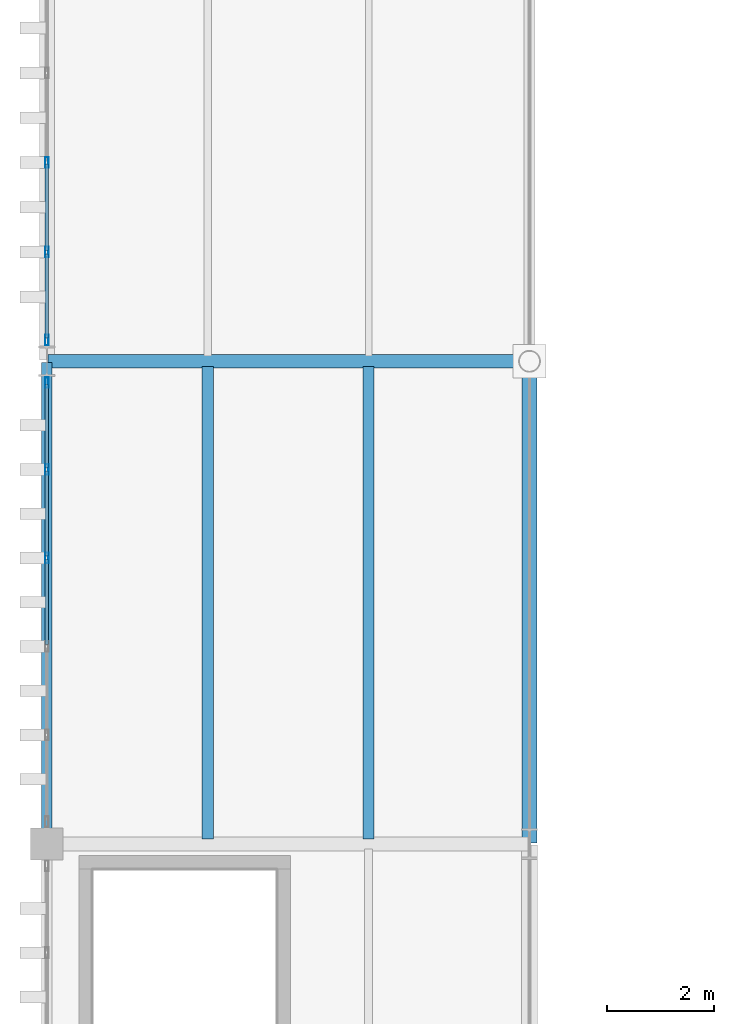
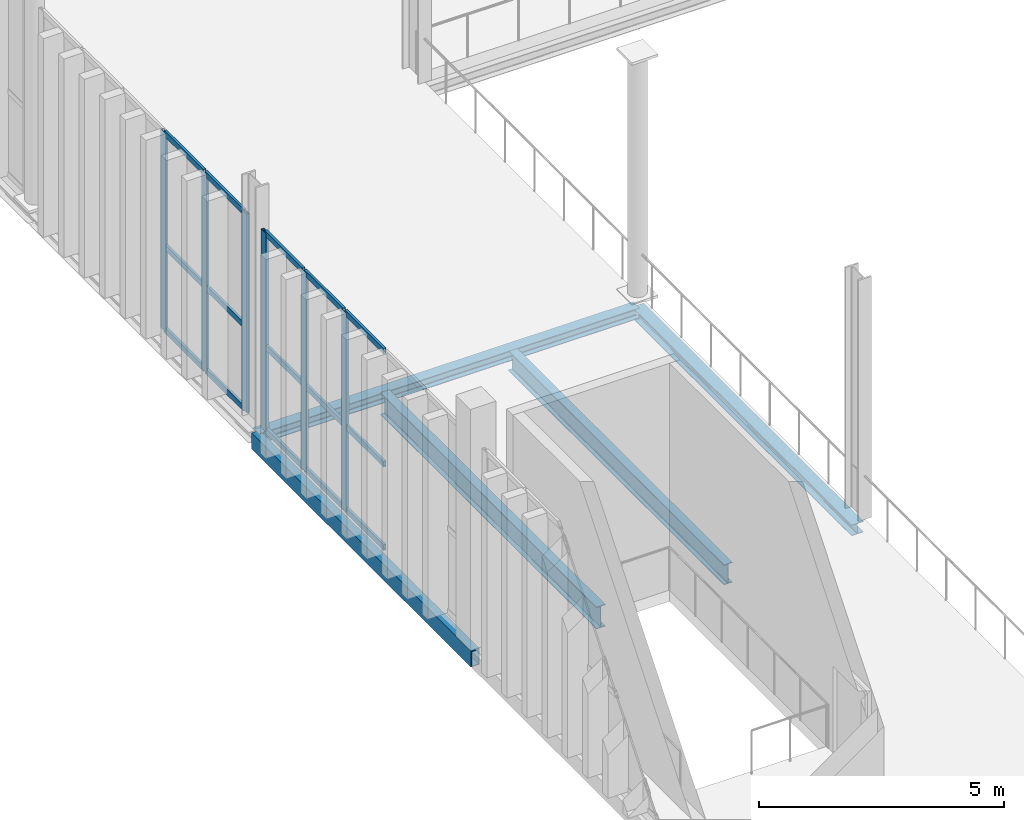
# One storey, part 77 of 211: 21 members, 5 beams, 2 elements without a shape of their own.
"""IFC4 building model written with IfcOpenShell, lengths in metres."""

import ifcopenshell
import ifcopenshell.guid

model = None  # the IFC model being written
_history = None  # IfcOwnerHistory: only IFC2X3 demands one
_inside = {}  # id of a spatial element -> (the spatial element, [elements in it])
_under = {}  # id of a project, library or spatial element -> (it, [spatial elements below it])
_declared = {}  # id of a project -> (the project, [libraries it declares])
_typed = {}  # id of a type object -> (the type object, [elements of that type])
_made_of = {}  # id of a material, layer set ... -> (it, [elements and type objects made of it])


def new_model(schema):
    """Start an empty IFC model of exactly this schema.

    Asked for "IFC4X3", IfcOpenShell would pick the latest addendum, in which some entities
    have other attributes; the version numbers below select the first issue.
    IFC2X3 requires an IfcOwnerHistory on every rooted entity: one is made here for all.
    """
    global model, _history
    if schema == "IFC4X3":
        model = ifcopenshell.file(schema_version=(4, 3, 0, 0))
    else:
        model = ifcopenshell.file(schema=schema)
    _inside.clear()
    _under.clear()
    _declared.clear()
    _typed.clear()
    _made_of.clear()
    _history = None
    if model.schema == "IFC2X3":
        org = make("IfcOrganization", Name="unknown")
        user = make(
            "IfcPersonAndOrganization",
            ThePerson=make("IfcPerson", FamilyName="unknown"),
            TheOrganization=org,
        )
        app = make(
            "IfcApplication",
            ApplicationDeveloper=org,
            Version="unknown",
            ApplicationFullName="unknown",
            ApplicationIdentifier="unknown",
        )
        _history = make(
            "IfcOwnerHistory",
            OwningUser=user,
            OwningApplication=app,
            ChangeAction="ADDED",
            CreationDate=0,
        )
    return model


def make(cls, **values):
    """One entity of the class cls with the attributes given. An attribute that is None is left unset."""
    return model.create_entity(
        cls, **{name: value for name, value in values.items() if value is not None}
    )


def rooted(cls, **values):
    """An entity with a GlobalId (a new one), such as an element, a storey or a relation."""
    return make(cls, GlobalId=ifcopenshell.guid.new(), OwnerHistory=_history, **values)


def si_unit(unit_type, name, prefix=None):
    """IfcSIUnit, for example si_unit("LENGTHUNIT", "METRE", prefix="MILLI")."""
    return make("IfcSIUnit", UnitType=unit_type, Prefix=prefix, Name=name)


def assignment(units):
    """IfcUnitAssignment: the units of a project."""
    return None if units is None else make("IfcUnitAssignment", Units=units)


def point(xyz):
    """IfcCartesianPoint."""
    return None if xyz is None else make("IfcCartesianPoint", Coordinates=xyz)


def direction(xyz):
    """IfcDirection."""
    return None if xyz is None else make("IfcDirection", DirectionRatios=xyz)


def frame(location, z_axis=None, x_axis=None):
    """IfcAxis2Placement3D, a coordinate frame: its origin and axes. An axis left out is left unset."""
    return make(
        "IfcAxis2Placement3D",
        Location=point(location),
        Axis=direction(z_axis),
        RefDirection=direction(x_axis),
    )


def frame_2d(location, x_axis=None):
    """IfcAxis2Placement2D, a coordinate frame in the plane: its origin and x axis."""
    return make(
        "IfcAxis2Placement2D", Location=point(location), RefDirection=direction(x_axis)
    )


def origin():
    """The frame at (0, 0, 0) with its axes left unset."""
    return frame((0.0, 0.0, 0.0))


def origin_2d():
    """The frame at (0, 0) in the plane with its x axis left unset."""
    return frame_2d((0.0, 0.0))


def place(relative_to, where):
    """IfcLocalPlacement: puts the frame where relative to a parent placement (None: the world)."""
    return make(
        "IfcLocalPlacement", PlacementRelTo=relative_to, RelativePlacement=where
    )


def context(
    kind, dimensions, precision=None, world=None, true_north=None, identifier=None
):
    """IfcGeometricRepresentationContext, for example the 3D "Model" context."""
    return make(
        "IfcGeometricRepresentationContext",
        ContextIdentifier=identifier,
        ContextType=kind,
        CoordinateSpaceDimension=dimensions,
        Precision=precision,
        WorldCoordinateSystem=world,
        TrueNorth=true_north,
    )


def subcontext(parent, identifier, kind, view, scale=None):
    """IfcGeometricRepresentationSubContext, for example "Body" below "Model"."""
    return make(
        "IfcGeometricRepresentationSubContext",
        ContextIdentifier=identifier,
        ContextType=kind,
        ParentContext=parent,
        TargetScale=scale,
        TargetView=view,
    )


def project(units=None, contexts=None):
    """IfcProject with its units and contexts."""
    return rooted(
        "IfcProject",
        Name="project",
        RepresentationContexts=contexts,
        UnitsInContext=assignment(units),
    )


def spatial(cls, under=None, at=None, **own):
    """A site, building, storey or space (cls), placed at a placement, below another one or the project."""
    s = rooted(cls, ObjectPlacement=at, **own)
    if under is not None:
        _under.setdefault(under.id(), (under, []))[1].append(s)
    return s


def profile(cls, at=None, kind="AREA", **sizes):
    """A parametric profile (cls). Its sizes go by their IFC names, for example OverallWidth=200.0."""
    return make(cls, ProfileType=kind, Position=at, **sizes)


def hollow_rectangle(**sizes):
    """IfcRectangleHollowProfileDef."""
    return profile("IfcRectangleHollowProfileDef", **sizes)


def i_section(**sizes):
    """IfcIShapeProfileDef."""
    return profile("IfcIShapeProfileDef", **sizes)


def extrude(swept, where, along, depth):
    """IfcExtrudedAreaSolid: the profile swept, set in the frame where, extruded along a direction by depth."""
    return make(
        "IfcExtrudedAreaSolid",
        SweptArea=swept,
        Position=where,
        ExtrudedDirection=direction(along),
        Depth=depth,
    )


def shape(context_of_items, identifier, shape_type, items):
    """IfcShapeRepresentation: the items that make up one representation, for example the "Body"."""
    return make(
        "IfcShapeRepresentation",
        ContextOfItems=context_of_items,
        RepresentationIdentifier=identifier,
        RepresentationType=shape_type,
        Items=items,
    )


def material(Name=None, Category=None):
    """IfcMaterial."""
    return make("IfcMaterial", Name=Name, Category=Category)


def layer(
    of_material, thickness, ventilated=None, Name=None, Category=None, Priority=None
):
    """IfcMaterialLayer: one layer of a wall or slab, of a material (None: an air gap)."""
    return make(
        "IfcMaterialLayer",
        Material=of_material,
        LayerThickness=thickness,
        IsVentilated=ventilated,
        Name=Name,
        Category=Category,
        Priority=Priority,
    )


def layer_set(layers, Name=None):
    """IfcMaterialLayerSet."""
    return make("IfcMaterialLayerSet", MaterialLayers=layers, LayerSetName=Name)


def material_profile(
    of_material, cross_section, Name=None, Category=None, Priority=None
):
    """IfcMaterialProfile: a cross section and its material."""
    return make(
        "IfcMaterialProfile",
        Name=Name,
        Material=of_material,
        Profile=cross_section,
        Priority=Priority,
        Category=Category,
    )


def profile_set(profiles, Name=None, composite=None):
    """IfcMaterialProfileSet."""
    return make(
        "IfcMaterialProfileSet",
        Name=Name,
        MaterialProfiles=profiles,
        CompositeProfile=composite,
    )


def made_of(thing, what):
    """Note that an element or type object is made of a material, layer set ...; save() writes the relation."""
    if what is not None:
        _made_of.setdefault(what.id(), (what, []))[1].append(thing)
    return thing


def type_object(cls, material=None, **own):
    """A type object (cls), such as IfcWallType, which elements share."""
    return made_of(rooted(cls, **own), material)


def element(
    cls,
    number,
    at=None,
    inside=None,
    cuts=None,
    type_object=None,
    material=None,
    context=None,
    identifier="Body",
    shape_type=None,
    held_by="IfcProductDefinitionShape",
    body=None,
    shapes=None,
    **own,
):
    """One element of the class cls, such as IfcWall. Its Tag is "e" and its number.

    at: its placement. inside: the storey or other place that contains it. cuts: it is an
    opening in that element (IfcRelVoidsElement). A single representation is given by context,
    identifier, shape_type and body (its items); several are given by shapes. held_by: the class
    of the entity that holds the representations. save() writes the other relations.
    """
    e = rooted(cls, Tag="e%d" % number, ObjectPlacement=at, **own)
    if body is not None:
        shapes = [shape(context, identifier, shape_type, body)]
    if shapes is not None:
        e.Representation = make(held_by, Representations=shapes)
    if inside is not None:
        _inside.setdefault(inside.id(), (inside, []))[1].append(e)
    if cuts is not None:
        rooted(
            "IfcRelVoidsElement", RelatingBuildingElement=cuts, RelatedOpeningElement=e
        )
    if type_object is not None:
        _typed.setdefault(type_object.id(), (type_object, []))[1].append(e)
    return made_of(e, material)


def aggregate(whole, parts):
    """IfcRelAggregates: a whole, such as a stair, and the parts it consists of."""
    return rooted("IfcRelAggregates", RelatingObject=whole, RelatedObjects=parts)


def save(model, path):
    """Write the relations noted so far, then the file.

    IfcRelAggregates (storeys below a building ...), IfcRelContainedInSpatialStructure (elements
    in a storey), IfcRelDefinesByType, IfcRelAssociatesMaterial and IfcRelDeclares: one each for
    every whole, place, type object, material and project.
    """
    for whole, parts in _under.values():
        aggregate(whole, parts)
    for where, things in _inside.values():
        rooted(
            "IfcRelContainedInSpatialStructure",
            RelatedElements=things,
            RelatingStructure=where,
        )
    for kind, things in _typed.values():
        rooted("IfcRelDefinesByType", RelatedObjects=things, RelatingType=kind)
    for what, things in _made_of.values():
        rooted("IfcRelAssociatesMaterial", RelatedObjects=things, RelatingMaterial=what)
    for by, libraries in _declared.values():
        rooted("IfcRelDeclares", RelatingContext=by, RelatedDefinitions=libraries)
    model.write(path)


model = new_model("IFC4")

# Units and contexts
model_context = context("Model", 3, precision=1e-05, world=origin(), true_north=direction((0.0, 1.0)))
body_context = subcontext(model_context, "Body", "Model", "MODEL_VIEW")
ifc_project = project(units=[si_unit("LENGTHUNIT", "METRE"), si_unit("AREAUNIT", "SQUARE_METRE"), si_unit("VOLUMEUNIT", "CUBIC_METRE"), si_unit("PLANEANGLEUNIT", "RADIAN"), si_unit("MASSUNIT", "GRAM", prefix="KILO")], contexts=[model_context])

# Site, building, storey
site_placement = place(None, origin())
site = spatial("IfcSite", under=ifc_project, at=site_placement, CompositionType="ELEMENT")
building_placement = place(site_placement, origin())
building = spatial("IfcBuilding", under=site, at=building_placement, Name="Barlavento Convention Centre", CompositionType="ELEMENT")
storey_placement = place(building_placement, frame((0.0, 0.0, 6.0)))
storey = spatial("IfcBuildingStorey", under=building, at=storey_placement, Name="L01", CompositionType="ELEMENT", Elevation=6.0)

# Curtain wall, members
ifc_material_1 = material(Name="Powder-coated aluminium and Low-E glass", Category="aluminium")
ifc_layer = layer(ifc_material_1, 0.179931640625)
ifc_layer_set = layer_set([ifc_layer], Name="ARC-CW-EXH-L01")
curtain_wall_type = type_object("IfcCurtainWallType", Name="ARC-CW-EXH-L01", PredefinedType="NOTDEFINED", material=ifc_layer_set)
curtain_wall_1_placement = place(storey_placement, origin())
curtain_wall_1 = element("IfcCurtainWall", 1, at=curtain_wall_1_placement, inside=storey, type_object=curtain_wall_type, Name="L01 unitised curtain wall CW04", PredefinedType="NOTDEFINED")
ifc_material_2 = material(Name="Powder-coated aluminium", Category="aluminium")
ifc_material_profile_1 = material_profile(ifc_material_2, hollow_rectangle(XDim=0.06494140625, YDim=0.199951171875, WallThickness=0.0048828125, at=origin_2d()), Name="AL-MULL 65x200x5")
ifc_profile_set_1 = profile_set([ifc_material_profile_1], Name="Powder-coated aluminium")
member_type_1 = type_object("IfcMemberType", Name="ARC-CWM-65X200", PredefinedType="MULLION", material=ifc_profile_set_1)
member_1_placement = place(storey_placement, frame((0.0, 104.33251953125, 0.0), z_axis=(0.0, 0.0, 1.0), x_axis=(-1.0, 0.0, 0.0)))
member_1 = element("IfcMember", 2, at=member_1_placement, type_object=member_type_1, Name="CW04 mullion 4", PredefinedType="MULLION", context=body_context, shape_type="SweptSolid", body=[
    extrude(hollow_rectangle(XDim=0.06494140625, YDim=0.199951171875, WallThickness=0.0048828125, at=origin_2d()), origin(), (0.0, 0.0, 1.0), 4.949951171875),
])
member_2_placement = place(storey_placement, frame((0.0, 105.983154296875, 0.0), z_axis=(0.0, 0.0, 1.0), x_axis=(-1.0, 0.0, 0.0)))
member_2 = element("IfcMember", 3, at=member_2_placement, type_object=member_type_1, Name="CW04 mullion 5", PredefinedType="MULLION", context=body_context, shape_type="SweptSolid", body=[
    extrude(hollow_rectangle(XDim=0.06494140625, YDim=0.199951171875, WallThickness=0.0048828125, at=origin_2d()), origin(), (0.0, 0.0, 1.0), 4.949951171875),
])
member_3_placement = place(storey_placement, frame((0.0, 107.6015625, 0.0), z_axis=(0.0, 0.0, 1.0), x_axis=(-1.0, 0.0, 0.0)))
member_3 = element("IfcMember", 4, at=member_3_placement, type_object=member_type_1, Name="CW04 mullion 6", PredefinedType="MULLION", context=body_context, shape_type="SweptSolid", body=[
    extrude(hollow_rectangle(XDim=0.06494140625, YDim=0.199951171875, WallThickness=0.0048828125, at=origin_2d()), origin(), (0.0, 0.0, 1.0), 4.949951171875),
])

curtain_wall_2_placement = place(storey_placement, origin())
curtain_wall_2 = element("IfcCurtainWall", 5, at=curtain_wall_2_placement, inside=storey, type_object=curtain_wall_type, Name="L01 unitised curtain wall CW04", PredefinedType="NOTDEFINED")
member_4_placement = place(storey_placement, frame((0.0, 108.3984375, 0.0), z_axis=(0.0, 0.0, 1.0), x_axis=(-1.0, 0.0, 0.0)))
member_4 = element("IfcMember", 6, at=member_4_placement, type_object=member_type_1, Name="CW04 mullion 1", PredefinedType="MULLION", context=body_context, shape_type="SweptSolid", body=[
    extrude(hollow_rectangle(XDim=0.06494140625, YDim=0.199951171875, WallThickness=0.0048828125, at=origin_2d()), origin(), (0.0, 0.0, 1.0), 4.949951171875),
])
member_5_placement = place(storey_placement, frame((0.0, 110.0361328125, 0.0), z_axis=(0.0, 0.0, 1.0), x_axis=(-1.0, 0.0, 0.0)))
member_5 = element("IfcMember", 7, at=member_5_placement, type_object=member_type_1, Name="CW04 mullion 2", PredefinedType="MULLION", context=body_context, shape_type="SweptSolid", body=[
    extrude(hollow_rectangle(XDim=0.06494140625, YDim=0.199951171875, WallThickness=0.0048828125, at=origin_2d()), origin(), (0.0, 0.0, 1.0), 4.949951171875),
])
member_6_placement = place(storey_placement, frame((0.0, 111.706298828125, 0.0), z_axis=(0.0, 0.0, 1.0), x_axis=(-1.0, 0.0, 0.0)))
member_6 = element("IfcMember", 8, at=member_6_placement, type_object=member_type_1, Name="CW04 mullion 3", PredefinedType="MULLION", context=body_context, shape_type="SweptSolid", body=[
    extrude(hollow_rectangle(XDim=0.06494140625, YDim=0.199951171875, WallThickness=0.0048828125, at=origin_2d()), origin(), (0.0, 0.0, 1.0), 4.949951171875),
])

# Member
ifc_material_profile_2 = material_profile(ifc_material_2, hollow_rectangle(XDim=0.06005859375, YDim=0.139892578125, WallThickness=0.00390625, at=origin_2d()), Name="AL-TRAN 60x140x4")
ifc_profile_set_2 = profile_set([ifc_material_profile_2], Name="Powder-coated aluminium")
member_type_2 = type_object("IfcMemberType", Name="ARC-CWT-60X140", PredefinedType="USERDEFINED", material=ifc_profile_set_2)
member_7_placement = place(storey_placement, frame((0.0, 102.714111328125, 0.030029296875), z_axis=(0.0, 1.0, 0.0), x_axis=(-1.0, 0.0, 0.0)))
member_7 = element("IfcMember", 9, at=member_7_placement, type_object=member_type_2, Name="CW04 transom 3.1", ObjectType="TRANSOM", PredefinedType="USERDEFINED", context=body_context, shape_type="SweptSolid", body=[
    extrude(hollow_rectangle(XDim=0.06005859375, YDim=0.139892578125, WallThickness=0.00390625, at=origin_2d()), origin(), (0.0, 0.0, 1.0), 1.585693359375),
])

member_8_placement = place(storey_placement, frame((0.0, 102.714111328125, 2.10009765625), z_axis=(0.0, 1.0, 0.0), x_axis=(-1.0, 0.0, 0.0)))
member_8 = element("IfcMember", 10, at=member_8_placement, type_object=member_type_2, Name="CW04 transom 3.2", ObjectType="TRANSOM", PredefinedType="USERDEFINED", context=body_context, shape_type="SweptSolid", body=[
    extrude(hollow_rectangle(XDim=0.06005859375, YDim=0.139892578125, WallThickness=0.00390625, at=origin_2d()), origin(), (0.0, 0.0, 1.0), 1.585693359375),
])

member_9_placement = place(storey_placement, frame((0.0, 102.714111328125, 4.919921875), z_axis=(0.0, 1.0, 0.0), x_axis=(-1.0, 0.0, 0.0)))
member_9 = element("IfcMember", 11, at=member_9_placement, type_object=member_type_2, Name="CW04 transom 3.3", ObjectType="TRANSOM", PredefinedType="USERDEFINED", context=body_context, shape_type="SweptSolid", body=[
    extrude(hollow_rectangle(XDim=0.06005859375, YDim=0.139892578125, WallThickness=0.00390625, at=origin_2d()), origin(), (0.0, 0.0, 1.0), 1.585693359375),
])

member_10_placement = place(storey_placement, frame((0.0, 104.364990234375, 0.030029296875), z_axis=(0.0, 1.0, 0.0), x_axis=(-1.0, 0.0, 0.0)))
member_10 = element("IfcMember", 12, at=member_10_placement, type_object=member_type_2, Name="CW04 transom 4.1", ObjectType="TRANSOM", PredefinedType="USERDEFINED", context=body_context, shape_type="SweptSolid", body=[
    extrude(hollow_rectangle(XDim=0.06005859375, YDim=0.139892578125, WallThickness=0.00390625, at=origin_2d()), origin(), (0.0, 0.0, 1.0), 1.585693359375),
])

member_11_placement = place(storey_placement, frame((0.0, 104.364990234375, 2.10009765625), z_axis=(0.0, 1.0, 0.0), x_axis=(-1.0, 0.0, 0.0)))
member_11 = element("IfcMember", 13, at=member_11_placement, type_object=member_type_2, Name="CW04 transom 4.2", ObjectType="TRANSOM", PredefinedType="USERDEFINED", context=body_context, shape_type="SweptSolid", body=[
    extrude(hollow_rectangle(XDim=0.06005859375, YDim=0.139892578125, WallThickness=0.00390625, at=origin_2d()), origin(), (0.0, 0.0, 1.0), 1.585693359375),
])

member_12_placement = place(storey_placement, frame((0.0, 104.364990234375, 4.919921875), z_axis=(0.0, 1.0, 0.0), x_axis=(-1.0, 0.0, 0.0)))
member_12 = element("IfcMember", 14, at=member_12_placement, type_object=member_type_2, Name="CW04 transom 4.3", ObjectType="TRANSOM", PredefinedType="USERDEFINED", context=body_context, shape_type="SweptSolid", body=[
    extrude(hollow_rectangle(XDim=0.06005859375, YDim=0.139892578125, WallThickness=0.00390625, at=origin_2d()), origin(), (0.0, 0.0, 1.0), 1.585693359375),
])

member_13_placement = place(storey_placement, frame((0.0, 106.015625, 0.030029296875), z_axis=(0.0, 1.0, 0.0), x_axis=(-1.0, 0.0, 0.0)))
member_13 = element("IfcMember", 15, at=member_13_placement, type_object=member_type_2, Name="CW04 transom 5.1", ObjectType="TRANSOM", PredefinedType="USERDEFINED", context=body_context, shape_type="SweptSolid", body=[
    extrude(hollow_rectangle(XDim=0.06005859375, YDim=0.139892578125, WallThickness=0.00390625, at=origin_2d()), origin(), (0.0, 0.0, 1.0), 1.553466796875),
])

member_14_placement = place(storey_placement, frame((0.0, 106.015625, 2.10009765625), z_axis=(0.0, 1.0, 0.0), x_axis=(-1.0, 0.0, 0.0)))
member_14 = element("IfcMember", 16, at=member_14_placement, type_object=member_type_2, Name="CW04 transom 5.2", ObjectType="TRANSOM", PredefinedType="USERDEFINED", context=body_context, shape_type="SweptSolid", body=[
    extrude(hollow_rectangle(XDim=0.06005859375, YDim=0.139892578125, WallThickness=0.00390625, at=origin_2d()), origin(), (0.0, 0.0, 1.0), 1.553466796875),
])

member_15_placement = place(storey_placement, frame((0.0, 106.015625, 4.919921875), z_axis=(0.0, 1.0, 0.0), x_axis=(-1.0, 0.0, 0.0)))
member_15 = element("IfcMember", 17, at=member_15_placement, type_object=member_type_2, Name="CW04 transom 5.3", ObjectType="TRANSOM", PredefinedType="USERDEFINED", context=body_context, shape_type="SweptSolid", body=[
    extrude(hollow_rectangle(XDim=0.06005859375, YDim=0.139892578125, WallThickness=0.00390625, at=origin_2d()), origin(), (0.0, 0.0, 1.0), 1.553466796875),
])

aggregate(curtain_wall_1, [member_1, member_2, member_3, member_7, member_8, member_9, member_10, member_11, member_12, member_13, member_14, member_15])

member_16_placement = place(storey_placement, frame((0.0, 108.430908203125, 0.030029296875), z_axis=(0.0, 1.0, 0.0), x_axis=(-1.0, 0.0, 0.0)))
member_16 = element("IfcMember", 18, at=member_16_placement, type_object=member_type_2, Name="CW04 transom 1.1", ObjectType="TRANSOM", PredefinedType="USERDEFINED", context=body_context, shape_type="SweptSolid", body=[
    extrude(hollow_rectangle(XDim=0.06005859375, YDim=0.139892578125, WallThickness=0.00390625, at=origin_2d()), origin(), (0.0, 0.0, 1.0), 1.57275390625),
])

member_17_placement = place(storey_placement, frame((0.0, 108.430908203125, 2.10009765625), z_axis=(0.0, 1.0, 0.0), x_axis=(-1.0, 0.0, 0.0)))
member_17 = element("IfcMember", 19, at=member_17_placement, type_object=member_type_2, Name="CW04 transom 1.2", ObjectType="TRANSOM", PredefinedType="USERDEFINED", context=body_context, shape_type="SweptSolid", body=[
    extrude(hollow_rectangle(XDim=0.06005859375, YDim=0.139892578125, WallThickness=0.00390625, at=origin_2d()), origin(), (0.0, 0.0, 1.0), 1.57275390625),
])

member_18_placement = place(storey_placement, frame((0.0, 108.430908203125, 4.919921875), z_axis=(0.0, 1.0, 0.0), x_axis=(-1.0, 0.0, 0.0)))
member_18 = element("IfcMember", 20, at=member_18_placement, type_object=member_type_2, Name="CW04 transom 1.3", ObjectType="TRANSOM", PredefinedType="USERDEFINED", context=body_context, shape_type="SweptSolid", body=[
    extrude(hollow_rectangle(XDim=0.06005859375, YDim=0.139892578125, WallThickness=0.00390625, at=origin_2d()), origin(), (0.0, 0.0, 1.0), 1.57275390625),
])

member_19_placement = place(storey_placement, frame((0.0, 110.068603515625, 0.030029296875), z_axis=(0.0, 1.0, 0.0), x_axis=(-1.0, 0.0, 0.0)))
member_19 = element("IfcMember", 21, at=member_19_placement, type_object=member_type_2, Name="CW04 transom 2.1", ObjectType="TRANSOM", PredefinedType="USERDEFINED", context=body_context, shape_type="SweptSolid", body=[
    extrude(hollow_rectangle(XDim=0.06005859375, YDim=0.139892578125, WallThickness=0.00390625, at=origin_2d()), origin(), (0.0, 0.0, 1.0), 1.605224609375),
])

member_20_placement = place(storey_placement, frame((0.0, 110.068603515625, 2.10009765625), z_axis=(0.0, 1.0, 0.0), x_axis=(-1.0, 0.0, 0.0)))
member_20 = element("IfcMember", 22, at=member_20_placement, type_object=member_type_2, Name="CW04 transom 2.2", ObjectType="TRANSOM", PredefinedType="USERDEFINED", context=body_context, shape_type="SweptSolid", body=[
    extrude(hollow_rectangle(XDim=0.06005859375, YDim=0.139892578125, WallThickness=0.00390625, at=origin_2d()), origin(), (0.0, 0.0, 1.0), 1.605224609375),
])

member_21_placement = place(storey_placement, frame((0.0, 110.068603515625, 4.919921875), z_axis=(0.0, 1.0, 0.0), x_axis=(-1.0, 0.0, 0.0)))
member_21 = element("IfcMember", 23, at=member_21_placement, type_object=member_type_2, Name="CW04 transom 2.3", ObjectType="TRANSOM", PredefinedType="USERDEFINED", context=body_context, shape_type="SweptSolid", body=[
    extrude(hollow_rectangle(XDim=0.06005859375, YDim=0.139892578125, WallThickness=0.00390625, at=origin_2d()), origin(), (0.0, 0.0, 1.0), 1.605224609375),
])

aggregate(curtain_wall_2, [member_4, member_5, member_6, member_16, member_17, member_18, member_19, member_20, member_21])

# Beams
ifc_material_3 = material(Name="Steel S355", Category="steel")
ifc_material_profile_3 = material_profile(ifc_material_3, i_section(OverallWidth=0.199951171875, OverallDepth=0.5, WebThickness=0.01025390625, FlangeThickness=0.01611328125, FilletRadius=0.02099609375, at=origin_2d()), Name="IPE 500")
ifc_profile_set_3 = profile_set([ifc_material_profile_3], Name="Steel S355")
beam_type_1 = type_object("IfcBeamType", Name="STR-BM-JST-IPE500", PredefinedType="JOIST", material=ifc_profile_set_3)
beam_1_placement = place(storey_placement, frame((6.0, 99.094970703125, -0.530029296875), z_axis=(0.0, 1.0, 0.0), x_axis=(-1.0, 0.0, 0.0)))
element("IfcBeam", 24, at=beam_1_placement, inside=storey, type_object=beam_type_1, Name="L01 composite floor joist SJ02", PredefinedType="JOIST", context=body_context, shape_type="SweptSolid", body=[
    extrude(i_section(OverallWidth=0.199951171875, OverallDepth=0.5, WebThickness=0.01025390625, FlangeThickness=0.01611328125, FilletRadius=0.02099609375, at=origin_2d()), origin(), (0.0, 0.0, 1.0), 8.81005859375),
])
ifc_material_profile_4 = material_profile(ifc_material_3, i_section(OverallWidth=0.2099609375, OverallDepth=0.550048828125, WebThickness=0.010986328125, FlangeThickness=0.01708984375, FilletRadius=0.02392578125, at=origin_2d()), Name="IPE 550")
ifc_profile_set_4 = profile_set([ifc_material_profile_4], Name="Steel S355")
beam_type_2 = type_object("IfcBeamType", Name="STR-BM-JST-IPE550", PredefinedType="JOIST", material=ifc_profile_set_4)
beam_2_placement = place(storey_placement, frame((3.0, 99.094970703125, -0.554931640625), z_axis=(0.0, 1.0, 0.0), x_axis=(-1.0, 0.0, 0.0)))
element("IfcBeam", 25, at=beam_2_placement, inside=storey, type_object=beam_type_2, Name="L01 composite floor joist SJ01", PredefinedType="JOIST", context=body_context, shape_type="SweptSolid", body=[
    extrude(i_section(OverallWidth=0.2099609375, OverallDepth=0.550048828125, WebThickness=0.010986328125, FlangeThickness=0.01708984375, FilletRadius=0.02392578125, at=origin_2d()), origin(), (0.0, 0.0, 1.0), 8.81005859375),
])
ifc_material_profile_5 = material_profile(ifc_material_3, i_section(OverallWidth=0.260009765625, OverallDepth=0.260009765625, WebThickness=0.010009765625, FlangeThickness=0.017578125, FilletRadius=0.02392578125, at=origin_2d()), Name="HEB 260")
ifc_profile_set_5 = profile_set([ifc_material_profile_5], Name="Steel S355")
beam_type_3 = type_object("IfcBeamType", Name="STR-BM-PRI-HEB260", PredefinedType="BEAM", material=ifc_profile_set_5)
beam_3_placement = place(storey_placement, frame((0.02001953125, 108.0, -0.409912109375), z_axis=(1.0, 0.0, 0.0), x_axis=(0.0, 1.0, 0.0)))
element("IfcBeam", 26, at=beam_3_placement, inside=storey, type_object=beam_type_3, Name="L01 primary girder BG16", PredefinedType="BEAM", context=body_context, shape_type="SweptSolid", body=[
    extrude(i_section(OverallWidth=0.260009765625, OverallDepth=0.260009765625, WebThickness=0.010009765625, FlangeThickness=0.017578125, FilletRadius=0.02392578125, at=origin_2d()), origin(), (0.0, 0.0, 1.0), 8.9599609375),
])
ifc_material_profile_6 = material_profile(ifc_material_3, i_section(OverallWidth=0.280029296875, OverallDepth=0.27001953125, WebThickness=0.008056640625, FlangeThickness=0.012939453125, FilletRadius=0.02392578125, at=origin_2d()), Name="HEA 280")
ifc_profile_set_6 = profile_set([ifc_material_profile_6], Name="Steel S355")
beam_type_4 = type_object("IfcBeamType", Name="STR-BM-SPN-HEA280", PredefinedType="SPANDREL", material=ifc_profile_set_6)
beam_4_placement = place(storey_placement, frame((9.0, 99.02001953125, -0.4150390625), z_axis=(0.0, 1.0, 0.0), x_axis=(-1.0, 0.0, 0.0)))
element("IfcBeam", 27, at=beam_4_placement, inside=storey, type_object=beam_type_4, Name="L01 grid girder SP03", PredefinedType="SPANDREL", context=body_context, shape_type="SweptSolid", body=[
    extrude(i_section(OverallWidth=0.280029296875, OverallDepth=0.27001953125, WebThickness=0.008056640625, FlangeThickness=0.012939453125, FilletRadius=0.02392578125, at=origin_2d()), origin(), (0.0, 0.0, 1.0), 8.9599609375),
])
ifc_material_profile_7 = material_profile(ifc_material_3, hollow_rectangle(XDim=0.199951171875, YDim=0.39990234375, WallThickness=0.01611328125, at=origin_2d()), Name="RHS 400x200x16.0")
ifc_profile_set_7 = profile_set([ifc_material_profile_7], Name="Steel S355")
beam_type_5 = type_object("IfcBeamType", Name="STR-BM-SPN-RHS400", PredefinedType="SPANDREL", material=ifc_profile_set_7)
beam_5_placement = place(storey_placement, frame((0.0, 99.02001953125, -0.47998046875), z_axis=(0.0, 1.0, 0.0), x_axis=(-1.0, 0.0, 0.0)))
element("IfcBeam", 28, at=beam_5_placement, inside=storey, type_object=beam_type_5, Name="L01 grid girder SP06", PredefinedType="SPANDREL", context=body_context, shape_type="SweptSolid", body=[
    extrude(hollow_rectangle(XDim=0.199951171875, YDim=0.39990234375, WallThickness=0.01611328125, at=origin_2d()), origin(), (0.0, 0.0, 1.0), 8.9599609375),
])

save(model, "model.ifc")
